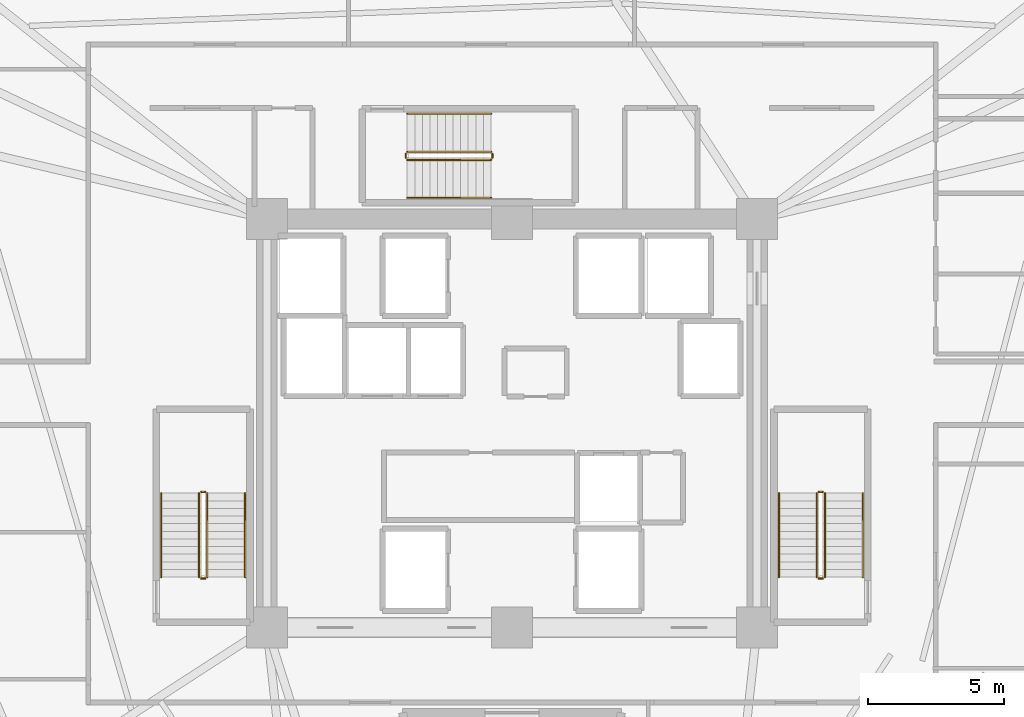
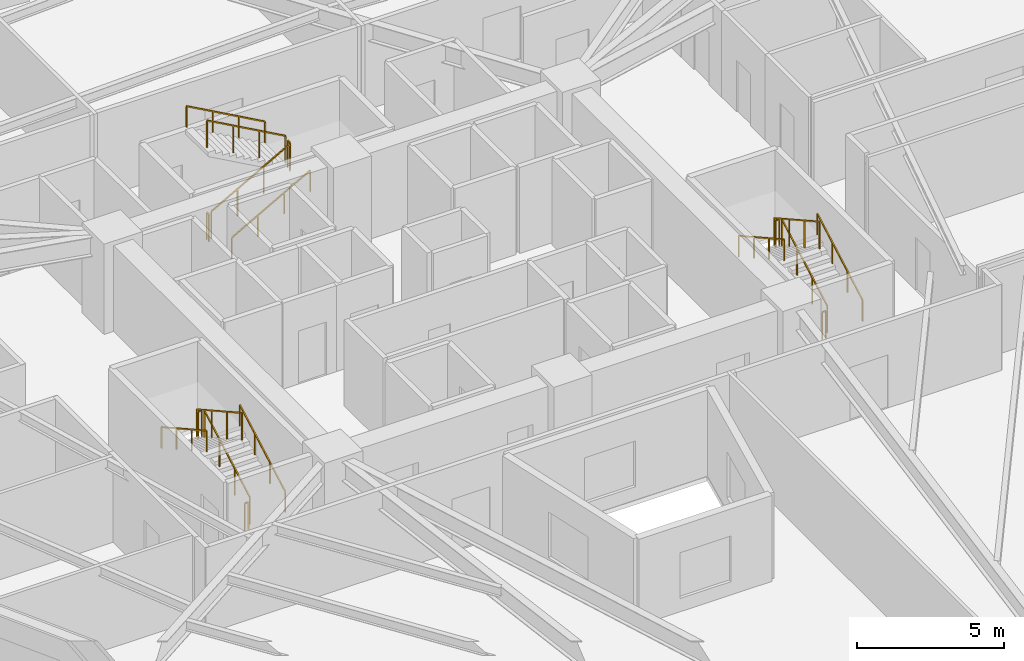
# One storey, part 8 of 8: 18 railings.
"""IFC4 building model written with IfcOpenShell, lengths in metres."""

from ifc_helpers import new_model, si_unit, direction, frame, origin, origin_2d, place, context, subcontext, project, spatial, rectangle, extrude, material, type_object, element, save


model = new_model("IFC4")

# Units and contexts
model_context = context("Model", 3, precision=1e-05, world=origin(), true_north=direction((0.0, 1.0)))
body_context = subcontext(model_context, "Body", "Model", "MODEL_VIEW")
ifc_project = project(units=[si_unit("LENGTHUNIT", "METRE"), si_unit("AREAUNIT", "SQUARE_METRE"), si_unit("VOLUMEUNIT", "CUBIC_METRE"), si_unit("PLANEANGLEUNIT", "RADIAN"), si_unit("MASSUNIT", "GRAM", prefix="KILO")], contexts=[model_context])

# Site, building, storey
site_placement = place(None, origin())
site = spatial("IfcSite", under=ifc_project, at=site_placement, CompositionType="ELEMENT")
building_placement = place(site_placement, origin())
building = spatial("IfcBuilding", under=site, at=building_placement, Name="Liaohun Quay Tower", CompositionType="ELEMENT")
storey_placement = place(building_placement, frame((0.0, 0.0, 151.5)))
storey = spatial("IfcBuildingStorey", under=building, at=storey_placement, Name="L39", CompositionType="ELEMENT", Elevation=151.5)

# Railings
ifc_material_1 = material(Name="Painted tubular steel", Category="steel")
railing_type_1 = type_object("IfcRailingType", Name="RLG-GUARD-STR", PredefinedType="GUARDRAIL", material=ifc_material_1)
railing_1_placement = place(storey_placement, frame((48.81005859375, 48.35009765625, 0.15625)))
element("IfcRailing", 1, at=railing_1_placement, inside=storey, type_object=railing_type_1, Name="L39 ST-1 stair guard 1", PredefinedType="GUARDRAIL", context=body_context, shape_type="SweptSolid", body=[
    extrude(rectangle(XDim=0.048095703125, YDim=0.048095703125, at=origin_2d()), frame((0.0, 0.0, 1.1259765625), z_axis=(0.0, 0.873225103656, 0.487317061414), x_axis=(-1.0, 0.0, 0.0)), (0.0, 0.0, 1.0), 3.52685546875),
    extrude(rectangle(XDim=0.0419921875, YDim=0.0419921875, at=origin_2d()), origin(), (0.0, 0.0, 1.0), 1.101806640625),
    extrude(rectangle(XDim=0.0419921875, YDim=0.0419921875, at=origin_2d()), frame((0.0, 1.026611328125, 0.572998046875)), (0.0, 0.0, 1.0), 1.101806640625),
    extrude(rectangle(XDim=0.0419921875, YDim=0.0419921875, at=origin_2d()), frame((0.0, 2.05322265625, 1.145751953125)), (0.0, 0.0, 1.0), 1.101806640625),
    extrude(rectangle(XDim=0.0419921875, YDim=0.0419921875, at=origin_2d()), frame((0.0, 3.079833984375, 1.71875)), (0.0, 0.0, 1.0), 1.101806640625),
])
railing_2_placement = place(storey_placement, frame((48.72998046875, 51.47998046875, 1.875)))
element("IfcRailing", 2, at=railing_2_placement, inside=storey, type_object=railing_type_1, Name="L39 ST-1 stair guard 2", PredefinedType="GUARDRAIL", context=body_context, shape_type="SweptSolid", body=[
    extrude(rectangle(XDim=0.048095703125, YDim=0.048095703125, at=origin_2d()), frame((0.0, 0.0, 1.1259765625), z_axis=(-1.0, 0.0, 0.0), x_axis=(0.0, -1.0, 0.0)), (0.0, 0.0, 1.0), 0.139892578125),
    extrude(rectangle(XDim=0.0419921875, YDim=0.0419921875, at=origin_2d()), origin(), (0.0, 0.0, 1.0), 1.101806640625),
    extrude(rectangle(XDim=0.0419921875, YDim=0.0419921875, at=origin_2d()), frame((-0.139892578125, 0.0, 0.0)), (0.0, 0.0, 1.0), 1.101806640625),
])
railing_3_placement = place(storey_placement, frame((48.510009765625, 51.429931640625, 2.03125)))
element("IfcRailing", 3, at=railing_3_placement, inside=storey, type_object=railing_type_1, Name="L39 ST-1 stair guard 3", PredefinedType="GUARDRAIL", context=body_context, shape_type="SweptSolid", body=[
    extrude(rectangle(XDim=0.048095703125, YDim=0.048095703125, at=origin_2d()), frame((0.0, 0.0, 1.1259765625), z_axis=(0.0, -0.873225103656, 0.487317061414), x_axis=(1.0, 0.0, 0.0)), (0.0, 0.0, 1.0), 3.52685546875),
    extrude(rectangle(XDim=0.0419921875, YDim=0.0419921875, at=origin_2d()), origin(), (0.0, 0.0, 1.0), 1.101806640625),
    extrude(rectangle(XDim=0.0419921875, YDim=0.0419921875, at=origin_2d()), frame((0.0, -1.026611328125, 0.572998046875)), (0.0, 0.0, 1.0), 1.101806640625),
    extrude(rectangle(XDim=0.0419921875, YDim=0.0419921875, at=origin_2d()), frame((0.0, -2.05322265625, 1.145751953125)), (0.0, 0.0, 1.0), 1.101806640625),
    extrude(rectangle(XDim=0.0419921875, YDim=0.0419921875, at=origin_2d()), frame((0.0, -3.079833984375, 1.71875)), (0.0, 0.0, 1.0), 1.101806640625),
])
railing_4_placement = place(storey_placement, frame((48.72998046875, 48.300048828125, 0.0)))
element("IfcRailing", 4, at=railing_4_placement, inside=storey, type_object=railing_type_1, Name="L39 ST-1 stair guard 4", PredefinedType="GUARDRAIL", context=body_context, shape_type="SweptSolid", body=[
    extrude(rectangle(XDim=0.048095703125, YDim=0.048095703125, at=origin_2d()), frame((0.0, 0.0, 1.1259765625), z_axis=(-1.0, 0.0, 0.0), x_axis=(0.0, -1.0, 0.0)), (0.0, 0.0, 1.0), 0.139892578125),
    extrude(rectangle(XDim=0.0419921875, YDim=0.0419921875, at=origin_2d()), origin(), (0.0, 0.0, 1.0), 1.101806640625),
    extrude(rectangle(XDim=0.0419921875, YDim=0.0419921875, at=origin_2d()), frame((-0.139892578125, 0.0, 0.0)), (0.0, 0.0, 1.0), 1.101806640625),
])
railing_5_placement = place(storey_placement, frame((71.489990234375, 48.35009765625, 0.15625)))
element("IfcRailing", 5, at=railing_5_placement, inside=storey, type_object=railing_type_1, Name="L39 ST-2 stair guard 1", PredefinedType="GUARDRAIL", context=body_context, shape_type="SweptSolid", body=[
    extrude(rectangle(XDim=0.048095703125, YDim=0.048095703125, at=origin_2d()), frame((0.0, 0.0, 1.1259765625), z_axis=(0.0, 0.873225103656, 0.487317061414), x_axis=(-1.0, 0.0, 0.0)), (0.0, 0.0, 1.0), 3.52685546875),
    extrude(rectangle(XDim=0.0419921875, YDim=0.0419921875, at=origin_2d()), origin(), (0.0, 0.0, 1.0), 1.101806640625),
    extrude(rectangle(XDim=0.0419921875, YDim=0.0419921875, at=origin_2d()), frame((0.0, 1.026611328125, 0.572998046875)), (0.0, 0.0, 1.0), 1.101806640625),
    extrude(rectangle(XDim=0.0419921875, YDim=0.0419921875, at=origin_2d()), frame((0.0, 2.05322265625, 1.145751953125)), (0.0, 0.0, 1.0), 1.101806640625),
    extrude(rectangle(XDim=0.0419921875, YDim=0.0419921875, at=origin_2d()), frame((0.0, 3.079833984375, 1.71875)), (0.0, 0.0, 1.0), 1.101806640625),
])
railing_6_placement = place(storey_placement, frame((71.409912109375, 51.47998046875, 1.875)))
element("IfcRailing", 6, at=railing_6_placement, inside=storey, type_object=railing_type_1, Name="L39 ST-2 stair guard 2", PredefinedType="GUARDRAIL", context=body_context, shape_type="SweptSolid", body=[
    extrude(rectangle(XDim=0.048095703125, YDim=0.048095703125, at=origin_2d()), frame((0.0, 0.0, 1.1259765625), z_axis=(-1.0, 0.0, 0.0), x_axis=(0.0, -1.0, 0.0)), (0.0, 0.0, 1.0), 0.139892578125),
    extrude(rectangle(XDim=0.0419921875, YDim=0.0419921875, at=origin_2d()), origin(), (0.0, 0.0, 1.0), 1.101806640625),
    extrude(rectangle(XDim=0.0419921875, YDim=0.0419921875, at=origin_2d()), frame((-0.139892578125, 0.0, 0.0)), (0.0, 0.0, 1.0), 1.101806640625),
])
railing_7_placement = place(storey_placement, frame((71.18994140625, 51.429931640625, 2.03125)))
element("IfcRailing", 7, at=railing_7_placement, inside=storey, type_object=railing_type_1, Name="L39 ST-2 stair guard 3", PredefinedType="GUARDRAIL", context=body_context, shape_type="SweptSolid", body=[
    extrude(rectangle(XDim=0.048095703125, YDim=0.048095703125, at=origin_2d()), frame((0.0, 0.0, 1.1259765625), z_axis=(0.0, -0.873225103656, 0.487317061414), x_axis=(1.0, 0.0, 0.0)), (0.0, 0.0, 1.0), 3.52685546875),
    extrude(rectangle(XDim=0.0419921875, YDim=0.0419921875, at=origin_2d()), origin(), (0.0, 0.0, 1.0), 1.101806640625),
    extrude(rectangle(XDim=0.0419921875, YDim=0.0419921875, at=origin_2d()), frame((0.0, -1.026611328125, 0.572998046875)), (0.0, 0.0, 1.0), 1.101806640625),
    extrude(rectangle(XDim=0.0419921875, YDim=0.0419921875, at=origin_2d()), frame((0.0, -2.05322265625, 1.145751953125)), (0.0, 0.0, 1.0), 1.101806640625),
    extrude(rectangle(XDim=0.0419921875, YDim=0.0419921875, at=origin_2d()), frame((0.0, -3.079833984375, 1.71875)), (0.0, 0.0, 1.0), 1.101806640625),
])
railing_8_placement = place(storey_placement, frame((71.409912109375, 48.300048828125, 0.0)))
element("IfcRailing", 8, at=railing_8_placement, inside=storey, type_object=railing_type_1, Name="L39 ST-2 stair guard 4", PredefinedType="GUARDRAIL", context=body_context, shape_type="SweptSolid", body=[
    extrude(rectangle(XDim=0.048095703125, YDim=0.048095703125, at=origin_2d()), frame((0.0, 0.0, 1.1259765625), z_axis=(-1.0, 0.0, 0.0), x_axis=(0.0, -1.0, 0.0)), (0.0, 0.0, 1.0), 0.139892578125),
    extrude(rectangle(XDim=0.0419921875, YDim=0.0419921875, at=origin_2d()), origin(), (0.0, 0.0, 1.0), 1.101806640625),
    extrude(rectangle(XDim=0.0419921875, YDim=0.0419921875, at=origin_2d()), frame((-0.139892578125, 0.0, 0.0)), (0.0, 0.0, 1.0), 1.101806640625),
])
railing_9_placement = place(storey_placement, frame((56.14990234375, 63.669921875, 0.15625)))
element("IfcRailing", 9, at=railing_9_placement, inside=storey, type_object=railing_type_1, Name="L39 ST-3 stair guard 1", PredefinedType="GUARDRAIL", context=body_context, shape_type="SweptSolid", body=[
    extrude(rectangle(XDim=0.048095703125, YDim=0.048095703125, at=origin_2d()), frame((0.0, 0.0, 1.1259765625), z_axis=(0.873241540666, 0.0, 0.487287606713), x_axis=(0.0, 1.0, 0.0)), (0.0, 0.0, 1.0), 3.527099609375),
    extrude(rectangle(XDim=0.0419921875, YDim=0.0419921875, at=origin_2d()), origin(), (0.0, 0.0, 1.0), 1.101806640625),
    extrude(rectangle(XDim=0.0419921875, YDim=0.0419921875, at=origin_2d()), frame((1.026611328125, 0.0, 0.572998046875)), (0.0, 0.0, 1.0), 1.101806640625),
    extrude(rectangle(XDim=0.0419921875, YDim=0.0419921875, at=origin_2d()), frame((2.053466796875, 0.0, 1.145751953125)), (0.0, 0.0, 1.0), 1.101806640625),
    extrude(rectangle(XDim=0.0419921875, YDim=0.0419921875, at=origin_2d()), frame((3.080078125, 0.0, 1.71875)), (0.0, 0.0, 1.0), 1.101806640625),
])
railing_10_placement = place(storey_placement, frame((59.280029296875, 63.75, 1.875)))
element("IfcRailing", 10, at=railing_10_placement, inside=storey, type_object=railing_type_1, Name="L39 ST-3 stair guard 2", PredefinedType="GUARDRAIL", context=body_context, shape_type="SweptSolid", body=[
    extrude(rectangle(XDim=0.048095703125, YDim=0.048095703125, at=origin_2d()), frame((0.0, 0.0, 1.1259765625), z_axis=(0.0, 1.0, 0.0), x_axis=(-1.0, 0.0, 0.0)), (0.0, 0.0, 1.0), 0.139892578125),
    extrude(rectangle(XDim=0.0419921875, YDim=0.0419921875, at=origin_2d()), origin(), (0.0, 0.0, 1.0), 1.101806640625),
    extrude(rectangle(XDim=0.0419921875, YDim=0.0419921875, at=origin_2d()), frame((0.0, 0.139892578125, 0.0)), (0.0, 0.0, 1.0), 1.101806640625),
])
railing_11_placement = place(storey_placement, frame((59.22998046875, 63.969970703125, 2.03125)))
element("IfcRailing", 11, at=railing_11_placement, inside=storey, type_object=railing_type_1, Name="L39 ST-3 stair guard 3", PredefinedType="GUARDRAIL", context=body_context, shape_type="SweptSolid", body=[
    extrude(rectangle(XDim=0.048095703125, YDim=0.048095703125, at=origin_2d()), frame((0.0, 0.0, 1.1259765625), z_axis=(-0.873241540666, 0.0, 0.487287606713), x_axis=(0.0, -1.0, 0.0)), (0.0, 0.0, 1.0), 3.527099609375),
    extrude(rectangle(XDim=0.0419921875, YDim=0.0419921875, at=origin_2d()), origin(), (0.0, 0.0, 1.0), 1.101806640625),
    extrude(rectangle(XDim=0.0419921875, YDim=0.0419921875, at=origin_2d()), frame((-1.026611328125, 0.0, 0.572998046875)), (0.0, 0.0, 1.0), 1.101806640625),
    extrude(rectangle(XDim=0.0419921875, YDim=0.0419921875, at=origin_2d()), frame((-2.053466796875, 0.0, 1.145751953125)), (0.0, 0.0, 1.0), 1.101806640625),
    extrude(rectangle(XDim=0.0419921875, YDim=0.0419921875, at=origin_2d()), frame((-3.080078125, 0.0, 1.71875)), (0.0, 0.0, 1.0), 1.101806640625),
])
railing_12_placement = place(storey_placement, frame((56.10009765625, 63.75, 0.0)))
element("IfcRailing", 12, at=railing_12_placement, inside=storey, type_object=railing_type_1, Name="L39 ST-3 stair guard 4", PredefinedType="GUARDRAIL", context=body_context, shape_type="SweptSolid", body=[
    extrude(rectangle(XDim=0.048095703125, YDim=0.048095703125, at=origin_2d()), frame((0.0, 0.0, 1.1259765625), z_axis=(0.0, 1.0, 0.0), x_axis=(-1.0, 0.0, 0.0)), (0.0, 0.0, 1.0), 0.139892578125),
    extrude(rectangle(XDim=0.0419921875, YDim=0.0419921875, at=origin_2d()), origin(), (0.0, 0.0, 1.0), 1.101806640625),
    extrude(rectangle(XDim=0.0419921875, YDim=0.0419921875, at=origin_2d()), frame((0.0, 0.139892578125, 0.0)), (0.0, 0.0, 1.0), 1.101806640625),
])
ifc_material_2 = material(Name="Brushed stainless steel", Category="steel")
railing_type_2 = type_object("IfcRailingType", Name="RLG-HND-STR", PredefinedType="HANDRAIL", material=ifc_material_2)
railing_13_placement = place(storey_placement, frame((50.199951171875, 48.35009765625, 0.15625)))
element("IfcRailing", 13, at=railing_13_placement, inside=storey, type_object=railing_type_2, Name="L39 ST-1 stair handrail 1", PredefinedType="HANDRAIL", context=body_context, shape_type="SweptSolid", body=[
    extrude(rectangle(XDim=0.048095703125, YDim=0.048095703125, at=origin_2d()), frame((0.0, 0.0, 0.8759765625), z_axis=(0.0, 0.873225103656, 0.487317061414), x_axis=(-1.0, 0.0, 0.0)), (0.0, 0.0, 1.0), 3.52685546875),
    extrude(rectangle(XDim=0.0419921875, YDim=0.0419921875, at=origin_2d()), origin(), (0.0, 0.0, 1.0), 0.851806640625),
    extrude(rectangle(XDim=0.0419921875, YDim=0.0419921875, at=origin_2d()), frame((0.0, 1.026611328125, 0.572998046875)), (0.0, 0.0, 1.0), 0.851806640625),
    extrude(rectangle(XDim=0.0419921875, YDim=0.0419921875, at=origin_2d()), frame((0.0, 2.05322265625, 1.145751953125)), (0.0, 0.0, 1.0), 0.851806640625),
    extrude(rectangle(XDim=0.0419921875, YDim=0.0419921875, at=origin_2d()), frame((0.0, 3.079833984375, 1.71875)), (0.0, 0.0, 1.0), 0.851806640625),
])
railing_14_placement = place(storey_placement, frame((47.1201171875, 51.429931640625, 2.03125)))
element("IfcRailing", 14, at=railing_14_placement, inside=storey, type_object=railing_type_2, Name="L39 ST-1 stair handrail 2", PredefinedType="HANDRAIL", context=body_context, shape_type="SweptSolid", body=[
    extrude(rectangle(XDim=0.048095703125, YDim=0.048095703125, at=origin_2d()), frame((0.0, 0.0, 0.8759765625), z_axis=(0.0, -0.873225103656, 0.487317061414), x_axis=(1.0, 0.0, 0.0)), (0.0, 0.0, 1.0), 3.52685546875),
    extrude(rectangle(XDim=0.0419921875, YDim=0.0419921875, at=origin_2d()), origin(), (0.0, 0.0, 1.0), 0.851806640625),
    extrude(rectangle(XDim=0.0419921875, YDim=0.0419921875, at=origin_2d()), frame((0.0, -1.026611328125, 0.572998046875)), (0.0, 0.0, 1.0), 0.851806640625),
    extrude(rectangle(XDim=0.0419921875, YDim=0.0419921875, at=origin_2d()), frame((0.0, -2.05322265625, 1.145751953125)), (0.0, 0.0, 1.0), 0.851806640625),
    extrude(rectangle(XDim=0.0419921875, YDim=0.0419921875, at=origin_2d()), frame((0.0, -3.079833984375, 1.71875)), (0.0, 0.0, 1.0), 0.851806640625),
])
railing_15_placement = place(storey_placement, frame((72.8798828125, 48.35009765625, 0.15625)))
element("IfcRailing", 15, at=railing_15_placement, inside=storey, type_object=railing_type_2, Name="L39 ST-2 stair handrail 1", PredefinedType="HANDRAIL", context=body_context, shape_type="SweptSolid", body=[
    extrude(rectangle(XDim=0.048095703125, YDim=0.048095703125, at=origin_2d()), frame((0.0, 0.0, 0.8759765625), z_axis=(0.0, 0.873225103656, 0.487317061414), x_axis=(-1.0, 0.0, 0.0)), (0.0, 0.0, 1.0), 3.52685546875),
    extrude(rectangle(XDim=0.0419921875, YDim=0.0419921875, at=origin_2d()), origin(), (0.0, 0.0, 1.0), 0.851806640625),
    extrude(rectangle(XDim=0.0419921875, YDim=0.0419921875, at=origin_2d()), frame((0.0, 1.026611328125, 0.572998046875)), (0.0, 0.0, 1.0), 0.851806640625),
    extrude(rectangle(XDim=0.0419921875, YDim=0.0419921875, at=origin_2d()), frame((0.0, 2.05322265625, 1.145751953125)), (0.0, 0.0, 1.0), 0.851806640625),
    extrude(rectangle(XDim=0.0419921875, YDim=0.0419921875, at=origin_2d()), frame((0.0, 3.079833984375, 1.71875)), (0.0, 0.0, 1.0), 0.851806640625),
])
railing_16_placement = place(storey_placement, frame((69.800048828125, 51.429931640625, 2.03125)))
element("IfcRailing", 16, at=railing_16_placement, inside=storey, type_object=railing_type_2, Name="L39 ST-2 stair handrail 2", PredefinedType="HANDRAIL", context=body_context, shape_type="SweptSolid", body=[
    extrude(rectangle(XDim=0.048095703125, YDim=0.048095703125, at=origin_2d()), frame((0.0, 0.0, 0.8759765625), z_axis=(0.0, -0.873225103656, 0.487317061414), x_axis=(1.0, 0.0, 0.0)), (0.0, 0.0, 1.0), 3.52685546875),
    extrude(rectangle(XDim=0.0419921875, YDim=0.0419921875, at=origin_2d()), origin(), (0.0, 0.0, 1.0), 0.851806640625),
    extrude(rectangle(XDim=0.0419921875, YDim=0.0419921875, at=origin_2d()), frame((0.0, -1.026611328125, 0.572998046875)), (0.0, 0.0, 1.0), 0.851806640625),
    extrude(rectangle(XDim=0.0419921875, YDim=0.0419921875, at=origin_2d()), frame((0.0, -2.05322265625, 1.145751953125)), (0.0, 0.0, 1.0), 0.851806640625),
    extrude(rectangle(XDim=0.0419921875, YDim=0.0419921875, at=origin_2d()), frame((0.0, -3.079833984375, 1.71875)), (0.0, 0.0, 1.0), 0.851806640625),
])
railing_17_placement = place(storey_placement, frame((56.14990234375, 62.280029296875, 0.15625)))
element("IfcRailing", 17, at=railing_17_placement, inside=storey, type_object=railing_type_2, Name="L39 ST-3 stair handrail 1", PredefinedType="HANDRAIL", context=body_context, shape_type="SweptSolid", body=[
    extrude(rectangle(XDim=0.048095703125, YDim=0.048095703125, at=origin_2d()), frame((0.0, 0.0, 0.8759765625), z_axis=(0.873241540666, 0.0, 0.487287606713), x_axis=(0.0, 1.0, 0.0)), (0.0, 0.0, 1.0), 3.527099609375),
    extrude(rectangle(XDim=0.0419921875, YDim=0.0419921875, at=origin_2d()), origin(), (0.0, 0.0, 1.0), 0.851806640625),
    extrude(rectangle(XDim=0.0419921875, YDim=0.0419921875, at=origin_2d()), frame((1.026611328125, 0.0, 0.572998046875)), (0.0, 0.0, 1.0), 0.851806640625),
    extrude(rectangle(XDim=0.0419921875, YDim=0.0419921875, at=origin_2d()), frame((2.053466796875, 0.0, 1.145751953125)), (0.0, 0.0, 1.0), 0.851806640625),
    extrude(rectangle(XDim=0.0419921875, YDim=0.0419921875, at=origin_2d()), frame((3.080078125, 0.0, 1.71875)), (0.0, 0.0, 1.0), 0.851806640625),
])
railing_18_placement = place(storey_placement, frame((59.22998046875, 65.360107421875, 2.03125)))
element("IfcRailing", 18, at=railing_18_placement, inside=storey, type_object=railing_type_2, Name="L39 ST-3 stair handrail 2", PredefinedType="HANDRAIL", context=body_context, shape_type="SweptSolid", body=[
    extrude(rectangle(XDim=0.048095703125, YDim=0.048095703125, at=origin_2d()), frame((0.0, 0.0, 0.8759765625), z_axis=(-0.873241540666, 0.0, 0.487287606713), x_axis=(0.0, -1.0, 0.0)), (0.0, 0.0, 1.0), 3.527099609375),
    extrude(rectangle(XDim=0.0419921875, YDim=0.0419921875, at=origin_2d()), origin(), (0.0, 0.0, 1.0), 0.851806640625),
    extrude(rectangle(XDim=0.0419921875, YDim=0.0419921875, at=origin_2d()), frame((-1.026611328125, 0.0, 0.572998046875)), (0.0, 0.0, 1.0), 0.851806640625),
    extrude(rectangle(XDim=0.0419921875, YDim=0.0419921875, at=origin_2d()), frame((-2.053466796875, 0.0, 1.145751953125)), (0.0, 0.0, 1.0), 0.851806640625),
    extrude(rectangle(XDim=0.0419921875, YDim=0.0419921875, at=origin_2d()), frame((-3.080078125, 0.0, 1.71875)), (0.0, 0.0, 1.0), 0.851806640625),
])

save(model, "model.ifc")
